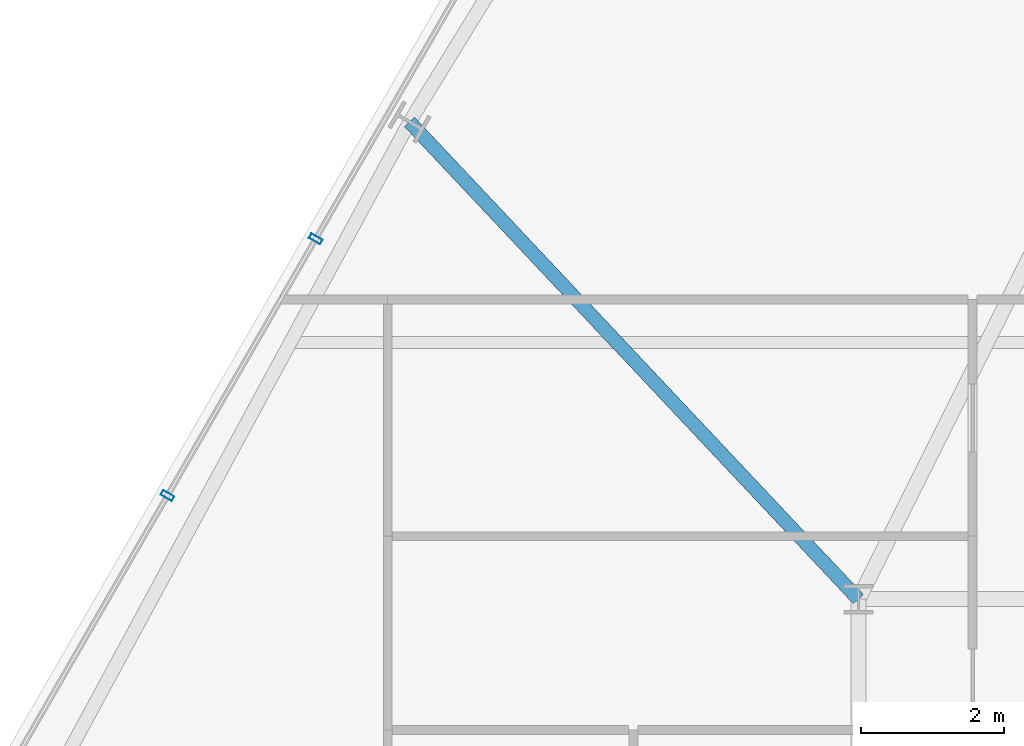
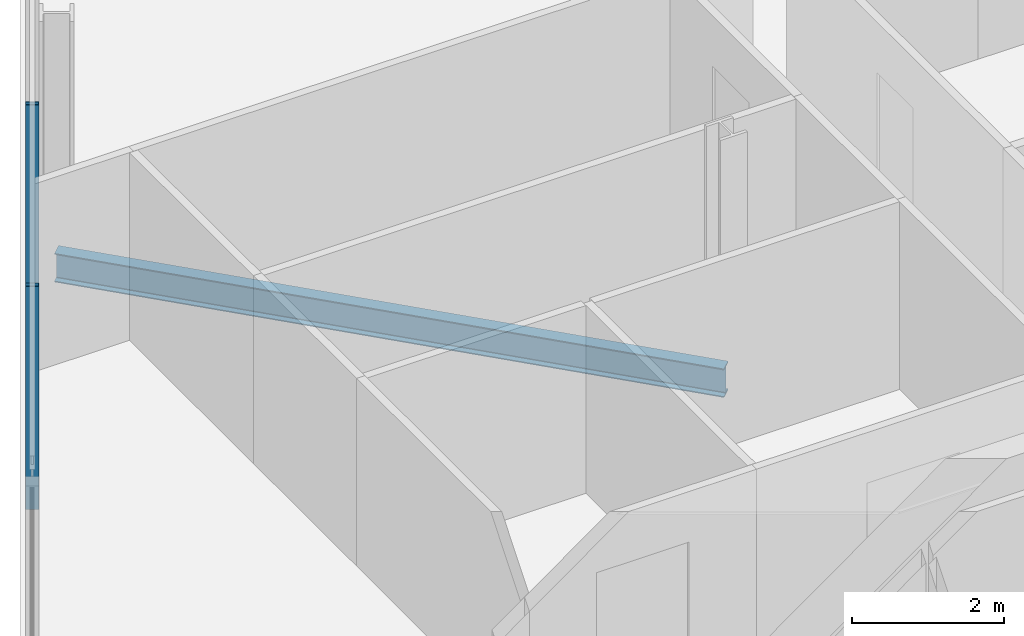
# One storey, part 11 of 35: 2 members, 1 beam, 1 element without a shape of its own.
"""IFC4 building model written with IfcOpenShell, lengths in metres."""

from ifc_helpers import new_model, si_unit, direction, frame, origin, origin_2d, place, context, subcontext, project, spatial, hollow_rectangle, i_section, extrude, material, layer, layer_set, material_profile, profile_set, type_object, element, aggregate, save


model = new_model("IFC4")

# Units and contexts
model_context = context("Model", 3, precision=1e-05, world=origin(), true_north=direction((0.0, 1.0)))
body_context = subcontext(model_context, "Body", "Model", "MODEL_VIEW")
ifc_project = project(units=[si_unit("LENGTHUNIT", "METRE"), si_unit("AREAUNIT", "SQUARE_METRE"), si_unit("VOLUMEUNIT", "CUBIC_METRE"), si_unit("PLANEANGLEUNIT", "RADIAN"), si_unit("MASSUNIT", "GRAM", prefix="KILO")], contexts=[model_context])

# Site, building, storey
site_placement = place(None, origin())
site = spatial("IfcSite", under=ifc_project, at=site_placement, CompositionType="ELEMENT")
building_placement = place(site_placement, origin())
building = spatial("IfcBuilding", under=site, at=building_placement, Name="Ndaravel Arena Tower", CompositionType="ELEMENT")
storey_placement = place(building_placement, frame((0.0, 0.0, 176.39990234375)))
storey = spatial("IfcBuildingStorey", under=building, at=storey_placement, Name="L42", CompositionType="ELEMENT", Elevation=176.39990234375)

# Beam
ifc_material_1 = material(Name="Steel S355", Category="steel")
ifc_material_profile_1 = material_profile(ifc_material_1, i_section(OverallWidth=0.19140625, OverallDepth=0.4599609375, WebThickness=0.010009765625, FlangeThickness=0.01611328125, FilletRadius=0.01025390625, at=origin_2d()), Name="UB 457x191x82")
ifc_profile_set_1 = profile_set([ifc_material_profile_1], Name="Steel S355")
beam_type = type_object("IfcBeamType", Name="BM-GIRD-UB457", PredefinedType="BEAM", material=ifc_profile_set_1)
beam_placement = place(storey_placement, frame((27.906494140625, 29.890380859375, -0.449951171875), z_axis=(0.685167351249, -0.728385681341, 0.0), x_axis=(0.728385681341, 0.685167351249, 0.0)))
element("IfcBeam", 1, at=beam_placement, inside=storey, type_object=beam_type, Name="L42 Radial Floor Girder FG-19", PredefinedType="BEAM", context=body_context, shape_type="SweptSolid", body=[
    extrude(i_section(OverallWidth=0.19140625, OverallDepth=0.4599609375, WebThickness=0.010009765625, FlangeThickness=0.01611328125, FilletRadius=0.01025390625, at=origin_2d()), origin(), (0.0, 0.0, 1.0), 9.185302734375),
])

# Curtain wall, members
ifc_material_2 = material(Name="Aluminium", Category="aluminium")
ifc_layer = layer(ifc_material_2, 0.179931640625)
ifc_layer_set = layer_set([ifc_layer], Name="Aluminium")
curtain_wall_type = type_object("IfcCurtainWallType", Name="CW-SYS-03", PredefinedType="NOTDEFINED", material=ifc_layer_set)
curtain_wall_placement = place(storey_placement, origin())
curtain_wall = element("IfcCurtainWall", 2, at=curtain_wall_placement, inside=storey, type_object=curtain_wall_type, Name="L42 Faceted Crystal Curtain Wall CW-L42-E05", PredefinedType="NOTDEFINED")
ifc_material_3 = material(Name="Aluminium", Category="aluminium")
ifc_material_profile_2 = material_profile(ifc_material_3, hollow_rectangle(XDim=0.074951171875, YDim=0.179931640625, WallThickness=0.00390625, at=origin_2d()), Name="CW MULLION 75x180x4")
ifc_profile_set_2 = profile_set([ifc_material_profile_2], Name="Aluminium")
member_type = type_object("IfcMemberType", Name="MEM-CW-MUL180", PredefinedType="MULLION", material=ifc_profile_set_2)
member_1_placement = place(storey_placement, frame((26.59033203125, 28.250732421875, 0.0), z_axis=(0.0, 0.0, 1.0), x_axis=(-0.5, -0.866025403784, 0.0)))
member_1 = element("IfcMember", 3, at=member_1_placement, type_object=member_type, Name="CW-L42-E05 Mullion 05", PredefinedType="MULLION", context=body_context, shape_type="SweptSolid", body=[
    extrude(hollow_rectangle(XDim=0.074951171875, YDim=0.179931640625, WallThickness=0.00390625, at=origin_2d()), origin(), (0.0, 0.0, 1.0), 3.580078125),
])
member_2_placement = place(storey_placement, frame((24.51220703125, 24.6513671875, 0.0), z_axis=(0.0, 0.0, 1.0), x_axis=(-0.5, -0.866025403784, 0.0)))
member_2 = element("IfcMember", 4, at=member_2_placement, type_object=member_type, Name="CW-L42-E05 Mullion 06", PredefinedType="MULLION", context=body_context, shape_type="SweptSolid", body=[
    extrude(hollow_rectangle(XDim=0.074951171875, YDim=0.179931640625, WallThickness=0.00390625, at=origin_2d()), origin(), (0.0, 0.0, 1.0), 3.580078125),
])
aggregate(curtain_wall, [member_1, member_2])

save(model, "model.ifc")
